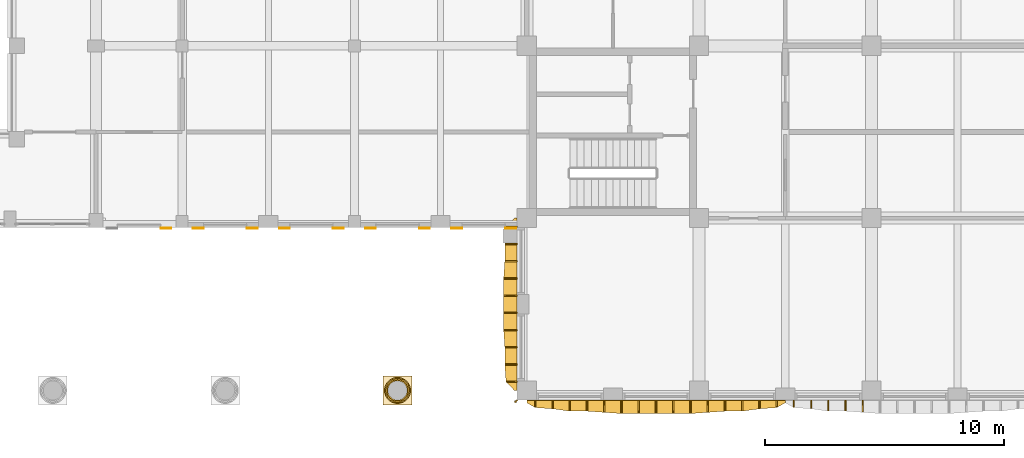
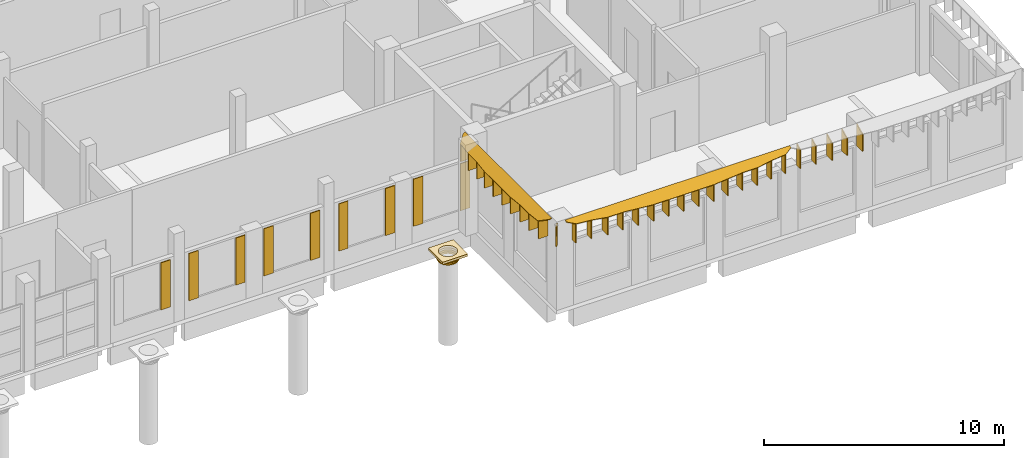
# One storey, part 39 of 59: 42 shading devices, 4 coverings.
"""IFC4 building model written with IfcOpenShell, lengths in metres."""

from ifc_helpers import new_model, si_unit, direction, frame, origin, origin_2d, place, context, subcontext, project, spatial, polyline, rectangle, outline, extrude, material, layer, layer_set, type_object, element, save


model = new_model("IFC4")

# Units and contexts
model_context = context("Model", 3, precision=1e-05, world=origin(), true_north=direction((0.0, 1.0)))
body_context = subcontext(model_context, "Body", "Model", "MODEL_VIEW")
ifc_project = project(units=[si_unit("LENGTHUNIT", "METRE"), si_unit("AREAUNIT", "SQUARE_METRE"), si_unit("VOLUMEUNIT", "CUBIC_METRE"), si_unit("PLANEANGLEUNIT", "RADIAN"), si_unit("MASSUNIT", "GRAM", prefix="KILO")], contexts=[model_context])

# Site, building, storey
site_placement = place(None, origin())
site = spatial("IfcSite", under=ifc_project, at=site_placement, CompositionType="ELEMENT")
building_placement = place(site_placement, origin())
building = spatial("IfcBuilding", under=site, at=building_placement, Name="Ussher Court Research Institute", CompositionType="ELEMENT")
storey_placement = place(building_placement, frame((0.0, 0.0, 5.39990234375)))
storey = spatial("IfcBuildingStorey", under=building, at=storey_placement, Name="L01", CompositionType="ELEMENT", Elevation=5.39990234375)

# Shading devices
ifc_material_1 = material(Name="Bronze anodised aluminium", Category="aluminium")
ifc_layer_1 = layer(ifc_material_1, 0.050048828125)
ifc_layer_set_1 = layer_set([ifc_layer_1], Name="Bronze anodised aluminium")
shading_device_type_1 = type_object("IfcShadingDeviceType", Name="Brim blade 300 mm deep 1100 mm high canted 26 deg wet", PredefinedType="USERDEFINED", material=ifc_layer_set_1)
for number, where, z_axis, x_axis, name in (
    (1, (93.360107421875, 3.60009765625, 3.35009765625), (0.0, 0.0, 1.0), (0.0, -1.0, 0.0), "Brim blade BS06 L01"),
    (2, (92.639892578125, 3.60009765625, 3.35009765625), (0.0, 0.0, 1.0), (0.0, -1.0, 0.0), "Brim blade BS06 L01"),
    (3, (82.56005859375, 3.60009765625, 3.35009765625), (0.0, 0.0, 1.0), (0.0, -1.0, 0.0), "Brim blade BS06 L01"),
):
    element("IfcShadingDevice", number, at=place(storey_placement, frame(where, z_axis=z_axis, x_axis=x_axis)), inside=storey, type_object=shading_device_type_1, Name=name, ObjectType="BLADE", PredefinedType="USERDEFINED", context=body_context, shape_type="SweptSolid", body=[
        extrude(outline(polyline([(0.0, 0.0), (0.300048828125, 0.0), (0.300048828125, 0.95361328125), (0.0, 1.10009765625), (0.0, 0.0)])), frame((0.0, 0.02490234375, 0.0), z_axis=(0.0, -1.0, 0.0), x_axis=(1.0, 0.0, 0.0)), (0.0, 0.0, 1.0), 0.050048828125),
    ])
ifc_material_2 = material(Name="Bronze anodised aluminium", Category="aluminium")
ifc_layer_2 = layer(ifc_material_2, 0.050048828125)
ifc_layer_set_2 = layer_set([ifc_layer_2], Name="Bronze anodised aluminium")
shading_device_type_2 = type_object("IfcShadingDeviceType", Name="Brim blade 350 mm deep 1100 mm high canted 26 deg wet", PredefinedType="USERDEFINED", material=ifc_layer_set_2)
for number, where, z_axis, x_axis, name in (
    (4, (94.080078125, 3.60009765625, 3.35009765625), (0.0, 0.0, 1.0), (0.0, -1.0, 0.0), "Brim blade BS05 L01"),
    (5, (91.919921875, 3.60009765625, 3.35009765625), (0.0, 0.0, 1.0), (0.0, -1.0, 0.0), "Brim blade BS05 L01"),
    (6, (83.280029296875, 3.60009765625, 3.35009765625), (0.0, 0.0, 1.0), (0.0, -1.0, 0.0), "Brim blade BS05 L01"),
):
    element("IfcShadingDevice", number, at=place(storey_placement, frame(where, z_axis=z_axis, x_axis=x_axis)), inside=storey, type_object=shading_device_type_2, Name=name, ObjectType="BLADE", PredefinedType="USERDEFINED", context=body_context, shape_type="SweptSolid", body=[
        extrude(outline(polyline([(0.0, 0.0), (0.35009765625, 0.0), (0.35009765625, 0.92919921875), (0.0, 1.10009765625), (0.0, 0.0)])), frame((0.0, 0.02490234375, 0.0), z_axis=(0.0, -1.0, 0.0), x_axis=(1.0, 0.0, 0.0)), (0.0, 0.0, 1.0), 0.050048828125),
    ])
ifc_material_3 = material(Name="Bronze anodised aluminium", Category="aluminium")
ifc_layer_3 = layer(ifc_material_3, 0.050048828125)
ifc_layer_set_3 = layer_set([ifc_layer_3], Name="Bronze anodised aluminium")
shading_device_type_3 = type_object("IfcShadingDeviceType", Name="Brim blade 450 mm deep 1100 mm high canted 26 deg wet", PredefinedType="USERDEFINED", material=ifc_layer_set_3)
for number, where, z_axis, x_axis, name in (
    (7, (95.52001953125, 3.60009765625, 3.35009765625), (0.0, 0.0, 1.0), (0.0, -1.0, 0.0), "Brim blade BS03 L01"),
    (8, (94.800048828125, 3.60009765625, 3.35009765625), (0.0, 0.0, 1.0), (0.0, -1.0, 0.0), "Brim blade BS03 L01"),
    (9, (91.199951171875, 3.60009765625, 3.35009765625), (0.0, 0.0, 1.0), (0.0, -1.0, 0.0), "Brim blade BS03 L01"),
    (10, (90.47998046875, 3.60009765625, 3.35009765625), (0.0, 0.0, 1.0), (0.0, -1.0, 0.0), "Brim blade BS03 L01"),
    (11, (84.719970703125, 3.60009765625, 3.35009765625), (0.0, 0.0, 1.0), (0.0, -1.0, 0.0), "Brim blade BS03 L01"),
    (12, (84.0, 3.60009765625, 3.35009765625), (0.0, 0.0, 1.0), (0.0, -1.0, 0.0), "Brim blade BS03 L01"),
):
    element("IfcShadingDevice", number, at=place(storey_placement, frame(where, z_axis=z_axis, x_axis=x_axis)), inside=storey, type_object=shading_device_type_3, Name=name, ObjectType="BLADE", PredefinedType="USERDEFINED", context=body_context, shape_type="SweptSolid", body=[
        extrude(outline(polyline([(0.0, 0.0), (0.4501953125, 0.0), (0.449951171875, 0.880615234375), (0.0, 1.10009765625), (0.0, 0.0)])), frame((0.0, 0.02490234375, 0.0), z_axis=(0.0, -1.0, 0.0), x_axis=(1.0, 0.0, 0.0)), (0.0, 0.0, 1.0), 0.050048828125),
    ])
for number, where, z_axis, x_axis, name in (
    (13, (81.800048828125, 4.360107421875, 3.35009765625), (0.0, 0.0, 1.0), (-1.0, 0.0, 0.0), "Brim blade BS03 L01"),
    (14, (81.800048828125, 10.840087890625, 3.35009765625), (0.0, 0.0, 1.0), (-1.0, 0.0, 0.0), "Brim blade BS03 L01"),
):
    element("IfcShadingDevice", number, at=place(storey_placement, frame(where, z_axis=z_axis, x_axis=x_axis)), inside=storey, type_object=shading_device_type_3, Name=name, ObjectType="BLADE", PredefinedType="USERDEFINED", context=body_context, shape_type="SweptSolid", body=[
        extrude(outline(polyline([(0.0, 0.0), (0.449951171875, 0.0), (0.449951171875, 0.880615234375), (0.0, 1.10009765625), (0.0, 0.0)])), frame((0.0, 0.02490234375, 0.0), z_axis=(0.0, -1.0, 0.0), x_axis=(1.0, 0.0, 0.0)), (0.0, 0.0, 1.0), 0.050048828125),
    ])
ifc_material_4 = material(Name="Bronze anodised aluminium", Category="aluminium")
ifc_layer_4 = layer(ifc_material_4, 0.050048828125)
ifc_layer_set_4 = layer_set([ifc_layer_4], Name="Bronze anodised aluminium")
shading_device_type_4 = type_object("IfcShadingDeviceType", Name="Brim blade 500 mm deep 1100 mm high canted 26 deg wet", PredefinedType="USERDEFINED", material=ifc_layer_set_4)
for number, where, z_axis, x_axis, name in (
    (15, (96.239990234375, 3.60009765625, 3.35009765625), (0.0, 0.0, 1.0), (0.0, -1.0, 0.0), "Brim blade BS02 L01"),
    (16, (89.760009765625, 3.60009765625, 3.35009765625), (0.0, 0.0, 1.0), (0.0, -1.0, 0.0), "Brim blade BS02 L01"),
    (17, (85.43994140625, 3.60009765625, 3.35009765625), (0.0, 0.0, 1.0), (0.0, -1.0, 0.0), "Brim blade BS02 L01"),
    (18, (81.800048828125, 5.080078125, 3.35009765625), (0.0, 0.0, 1.0), (-1.0, 0.0, 0.0), "Brim blade BS02 L01"),
    (19, (81.800048828125, 5.800048828125, 3.35009765625), (0.0, 0.0, 1.0), (-1.0, 0.0, 0.0), "Brim blade BS02 L01"),
    (20, (81.800048828125, 9.39990234375, 3.35009765625), (0.0, 0.0, 1.0), (-1.0, 0.0, 0.0), "Brim blade BS02 L01"),
    (21, (81.800048828125, 10.1201171875, 3.35009765625), (0.0, 0.0, 1.0), (-1.0, 0.0, 0.0), "Brim blade BS02 L01"),
):
    element("IfcShadingDevice", number, at=place(storey_placement, frame(where, z_axis=z_axis, x_axis=x_axis)), inside=storey, type_object=shading_device_type_4, Name=name, ObjectType="BLADE", PredefinedType="USERDEFINED", context=body_context, shape_type="SweptSolid", body=[
        extrude(outline(polyline([(0.0, 0.0), (0.5, 0.0), (0.5, 0.856201171875), (0.0, 1.10009765625), (0.0, 0.0)])), frame((0.0, 0.02490234375, 0.0), z_axis=(0.0, -1.0, 0.0), x_axis=(1.0, 0.0, 0.0)), (0.0, 0.0, 1.0), 0.050048828125),
    ])
ifc_material_5 = material(Name="Bronze anodised aluminium", Category="aluminium")
ifc_layer_5 = layer(ifc_material_5, 0.050048828125)
ifc_layer_set_5 = layer_set([ifc_layer_5], Name="Bronze anodised aluminium")
shading_device_type_5 = type_object("IfcShadingDeviceType", Name="Brim blade 550 mm deep 1100 mm high canted 26 deg wet", PredefinedType="USERDEFINED", material=ifc_layer_set_5)
for number, where, z_axis, x_axis, name in (
    (22, (89.0400390625, 3.60009765625, 3.35009765625), (0.0, 0.0, 1.0), (0.0, -1.0, 0.0), "Brim blade BS01 L01"),
    (23, (88.320068359375, 3.60009765625, 3.35009765625), (0.0, 0.0, 1.0), (0.0, -1.0, 0.0), "Brim blade BS01 L01"),
    (24, (87.60009765625, 3.60009765625, 3.35009765625), (0.0, 0.0, 1.0), (0.0, -1.0, 0.0), "Brim blade BS01 L01"),
    (25, (86.8798828125, 3.60009765625, 3.35009765625), (0.0, 0.0, 1.0), (0.0, -1.0, 0.0), "Brim blade BS01 L01"),
    (26, (86.159912109375, 3.60009765625, 3.35009765625), (0.0, 0.0, 1.0), (0.0, -1.0, 0.0), "Brim blade BS01 L01"),
    (27, (81.800048828125, 6.52001953125, 3.35009765625), (0.0, 0.0, 1.0), (-1.0, 0.0, 0.0), "Brim blade BS01 L01"),
    (28, (81.800048828125, 7.239990234375, 3.35009765625), (0.0, 0.0, 1.0), (-1.0, 0.0, 0.0), "Brim blade BS01 L01"),
    (29, (81.800048828125, 7.9599609375, 3.35009765625), (0.0, 0.0, 1.0), (-1.0, 0.0, 0.0), "Brim blade BS01 L01"),
    (30, (81.800048828125, 8.679931640625, 3.35009765625), (0.0, 0.0, 1.0), (-1.0, 0.0, 0.0), "Brim blade BS01 L01"),
):
    element("IfcShadingDevice", number, at=place(storey_placement, frame(where, z_axis=z_axis, x_axis=x_axis)), inside=storey, type_object=shading_device_type_5, Name=name, ObjectType="BLADE", PredefinedType="USERDEFINED", context=body_context, shape_type="SweptSolid", body=[
        extrude(outline(polyline([(0.0, 0.0), (0.550048828125, 0.0), (0.550048828125, 0.831787109375), (0.0, 1.10009765625), (0.0, 0.0)])), frame((0.0, 0.02490234375, 0.0), z_axis=(0.0, -1.0, 0.0), x_axis=(1.0, 0.0, 0.0)), (0.0, 0.0, 1.0), 0.050048828125),
    ])
ifc_material_6 = material(Name="Bronze anodised aluminium", Category="aluminium")
ifc_layer_6 = layer(ifc_material_6, 0.050048828125)
ifc_layer_set_6 = layer_set([ifc_layer_6], Name="Bronze anodised aluminium")
shading_device_type_6 = type_object("IfcShadingDeviceType", Name="Brim mitre blade 100 mm deep 1100 mm high canted 26 deg wet", PredefinedType="USERDEFINED", material=ifc_layer_set_6)
shading_device_1_placement = place(storey_placement, frame((81.800048828125, 3.60009765625, 3.35009765625), z_axis=(0.0, 0.0, 1.0), x_axis=(-0.707106781187, -0.707106781187, 0.0)))
element("IfcShadingDevice", 31, at=shading_device_1_placement, inside=storey, type_object=shading_device_type_6, Name="Brim mitre blade BS18 L01", ObjectType="BLADE", PredefinedType="USERDEFINED", context=body_context, shape_type="SweptSolid", body=[
    extrude(outline(polyline([(0.0, 0.0), (0.1416015625, 0.0), (0.141357421875, 1.00244140625), (0.0, 1.10009765625), (0.0, 0.0)])), frame((0.0, 0.02490234375, 0.0), z_axis=(0.0, -1.0, 0.0), x_axis=(1.0, 0.0, 0.0)), (0.0, 0.0, 1.0), 0.050048828125),
])
ifc_material_7 = material(Name="Bronze anodised aluminium", Category="aluminium")
ifc_layer_7 = layer(ifc_material_7, 0.0400390625)
ifc_layer_set_7 = layer_set([ifc_layer_7], Name="Bronze anodised aluminium")
shading_device_type_7 = type_object("IfcShadingDeviceType", Name="Brim visor sheet 40 mm canted 26 deg wet", PredefinedType="USERDEFINED", material=ifc_layer_set_7)
shading_device_2_placement = place(storey_placement, frame((93.0, 3.58251953125, 4.486083984375), z_axis=(0.0, -0.438461416816, 0.898750013054), x_axis=(-1.0, 0.0, 0.0)))
element("IfcShadingDevice", 32, at=shading_device_2_placement, inside=storey, type_object=shading_device_type_7, Name="Brim visor sheet BR1 L01", ObjectType="BRIM", PredefinedType="USERDEFINED", context=body_context, shape_type="SweptSolid", body=[
    extrude(outline(polyline([(0.0, 0.0), (10.800048828125, 0.0), (10.800048828125, 0.1113720187292832), (10.43994140625, 0.33389663479794396), (9.719970703125, 0.38958264416258553), (9.0, 0.5006281952576233), (8.280029296875, 0.5006281952576233), (7.56005859375, 0.5563142046222649), (6.840087890625, 0.6120002139869065), (6.1201171875, 0.6120002139869065), (5.39990234375, 0.6120002139869065), (4.679931640625, 0.6120002139869065), (3.9599609375, 0.6120002139869065), (3.239990234375, 0.5563142046222649), (2.52001953125, 0.5006281952576233), (1.800048828125, 0.5006281952576233), (1.080078125, 0.38958264416258553), (0.360107421875, 0.33389663479794396), (0.0, 0.1113720187292832), (0.0, 0.0)])), origin(), (0.0, 0.0, -1.0), 0.0400390625),
])
shading_device_3_placement = place(storey_placement, frame((81.782470703125, 4.0, 4.486083984375), z_axis=(-0.438424070602, 0.0, 0.898768231702), x_axis=(0.0, 1.0, 0.0)))
element("IfcShadingDevice", 33, at=shading_device_3_placement, inside=storey, type_object=shading_device_type_7, Name="Brim visor sheet BR1 L01", ObjectType="BRIM", PredefinedType="USERDEFINED", context=body_context, shape_type="SweptSolid", body=[
    extrude(outline(polyline([(0.0, 0.0), (7.199951171875, 0.0), (7.199951171875, 0.11115259298987437), (6.840087890625, 0.5006281959223675), (6.1201171875, 0.5563142053362137), (5.39990234375, 0.5563142053362137), (4.679931640625, 0.6120002147500598), (3.9599609375, 0.6120002147500598), (3.239990234375, 0.6120002147500598), (2.52001953125, 0.6120002147500598), (1.800048828125, 0.5563142053362137), (1.080078125, 0.5563142053362137), (0.360107421875, 0.5006281959223675), (0.0, 0.11115259298987437), (0.0, 0.0)])), origin(), (0.0, 0.0, -1.0), 0.0400390625),
])

# Coverings
ifc_material_8 = material(Name="Limestone cornice", Category="masonry")
covering_type_1 = type_object("IfcCoveringType", Name="Column abacus 800 1200x120", PredefinedType="CLADDING", material=ifc_material_8)
covering_1_placement = place(storey_placement, frame((0.0, 0.0, 4.420166015625)))
element("IfcCovering", 34, at=covering_1_placement, inside=storey, type_object=covering_type_1, Name="Column capital CC19", PredefinedType="CLADDING", context=body_context, shape_type="SweptSolid", body=[
    extrude(outline(polyline([(77.39990234375, 3.39990234375), (77.39990234375, 4.60009765625), (76.199951171875, 4.60009765625), (76.199951171875, 3.39990234375), (77.39990234375, 3.39990234375)]), holes=[polyline([(77.200927734375, 4.0), (77.197509765625, 4.05224609375), (77.187255859375, 4.103759765625), (77.17041015625, 4.1533203125), (77.147216796875, 4.200439453125), (77.117919921875, 4.243896484375), (77.08349609375, 4.283447265625), (77.0439453125, 4.318115234375), (77.00048828125, 4.34716796875), (76.953369140625, 4.370361328125), (76.90380859375, 4.38720703125), (76.852294921875, 4.3974609375), (76.800048828125, 4.40087890625), (76.747802734375, 4.3974609375), (76.6962890625, 4.38720703125), (76.646484375, 4.370361328125), (76.599609375, 4.34716796875), (76.555908203125, 4.318115234375), (76.5166015625, 4.283447265625), (76.48193359375, 4.243896484375), (76.452880859375, 4.200439453125), (76.4296875, 4.1533203125), (76.412841796875, 4.103759765625), (76.402587890625, 4.05224609375), (76.399169921875, 4.0), (76.402587890625, 3.94775390625), (76.412841796875, 3.896240234375), (76.4296875, 3.8466796875), (76.452880859375, 3.799560546875), (76.48193359375, 3.756103515625), (76.5166015625, 3.716552734375), (76.555908203125, 3.681884765625), (76.599609375, 3.65283203125), (76.646484375, 3.629638671875), (76.6962890625, 3.61279296875), (76.747802734375, 3.6025390625), (76.800048828125, 3.59912109375), (76.852294921875, 3.6025390625), (76.90380859375, 3.61279296875), (76.953369140625, 3.629638671875), (77.00048828125, 3.65283203125), (77.0439453125, 3.681884765625), (77.08349609375, 3.716552734375), (77.117919921875, 3.756103515625), (77.147216796875, 3.799560546875), (77.17041015625, 3.8466796875), (77.187255859375, 3.896240234375), (77.197509765625, 3.94775390625), (77.200927734375, 4.0)])]), origin(), (0.0, 0.0, 1.0), 0.119873046875),
])
ifc_material_9 = material(Name="Limestone cornice", Category="masonry")
covering_type_2 = type_object("IfcCoveringType", Name="Column capital echinus 800 1000x100", PredefinedType="CLADDING", material=ifc_material_9)
covering_2_placement = place(storey_placement, frame((0.0, 0.0, 4.22021484375)))
element("IfcCovering", 35, at=covering_2_placement, inside=storey, type_object=covering_type_2, Name="Column capital CC17", PredefinedType="CLADDING", context=body_context, shape_type="SweptSolid", body=[
    extrude(outline(polyline([(77.300048828125, 4.0), (77.295654296875, 4.065185546875), (77.282958984375, 4.12939453125), (77.261962890625, 4.19140625), (77.23291015625, 4.25), (77.19677734375, 4.304443359375), (77.153564453125, 4.353515625), (77.1044921875, 4.396728515625), (77.050048828125, 4.43310546875), (76.9912109375, 4.4619140625), (76.929443359375, 4.48291015625), (76.865234375, 4.49560546875), (76.800048828125, 4.5), (76.734619140625, 4.49560546875), (76.670654296875, 4.48291015625), (76.608642578125, 4.4619140625), (76.550048828125, 4.43310546875), (76.49560546875, 4.396728515625), (76.4462890625, 4.353515625), (76.4033203125, 4.304443359375), (76.366943359375, 4.25), (76.338134765625, 4.19140625), (76.31689453125, 4.12939453125), (76.30419921875, 4.065185546875), (76.300048828125, 4.0), (76.30419921875, 3.934814453125), (76.31689453125, 3.87060546875), (76.338134765625, 3.80859375), (76.366943359375, 3.75), (76.4033203125, 3.695556640625), (76.4462890625, 3.646484375), (76.49560546875, 3.603271484375), (76.550048828125, 3.56689453125), (76.608642578125, 3.5380859375), (76.670654296875, 3.51708984375), (76.734619140625, 3.50439453125), (76.800048828125, 3.5), (76.865234375, 3.50439453125), (76.929443359375, 3.51708984375), (76.9912109375, 3.5380859375), (77.050048828125, 3.56689453125), (77.1044921875, 3.603271484375), (77.153564453125, 3.646484375), (77.19677734375, 3.695556640625), (77.23291015625, 3.75), (77.261962890625, 3.80859375), (77.282958984375, 3.87060546875), (77.295654296875, 3.934814453125), (77.300048828125, 4.0)]), holes=[polyline([(77.200927734375, 4.0), (77.197509765625, 4.05224609375), (77.187255859375, 4.103759765625), (77.17041015625, 4.1533203125), (77.147216796875, 4.200439453125), (77.117919921875, 4.243896484375), (77.08349609375, 4.283447265625), (77.0439453125, 4.318115234375), (77.00048828125, 4.34716796875), (76.953369140625, 4.370361328125), (76.90380859375, 4.38720703125), (76.852294921875, 4.3974609375), (76.800048828125, 4.40087890625), (76.747802734375, 4.3974609375), (76.6962890625, 4.38720703125), (76.646484375, 4.370361328125), (76.599609375, 4.34716796875), (76.555908203125, 4.318115234375), (76.5166015625, 4.283447265625), (76.48193359375, 4.243896484375), (76.452880859375, 4.200439453125), (76.4296875, 4.1533203125), (76.412841796875, 4.103759765625), (76.402587890625, 4.05224609375), (76.399169921875, 4.0), (76.402587890625, 3.94775390625), (76.412841796875, 3.896240234375), (76.4296875, 3.8466796875), (76.452880859375, 3.799560546875), (76.48193359375, 3.756103515625), (76.5166015625, 3.716552734375), (76.555908203125, 3.681884765625), (76.599609375, 3.65283203125), (76.646484375, 3.629638671875), (76.6962890625, 3.61279296875), (76.747802734375, 3.6025390625), (76.800048828125, 3.59912109375), (76.852294921875, 3.6025390625), (76.90380859375, 3.61279296875), (76.953369140625, 3.629638671875), (77.00048828125, 3.65283203125), (77.0439453125, 3.681884765625), (77.08349609375, 3.716552734375), (77.117919921875, 3.756103515625), (77.147216796875, 3.799560546875), (77.17041015625, 3.8466796875), (77.187255859375, 3.896240234375), (77.197509765625, 3.94775390625), (77.200927734375, 4.0)])]), origin(), (0.0, 0.0, 1.0), 0.099853515625),
])
ifc_material_10 = material(Name="Limestone cornice", Category="masonry")
covering_type_3 = type_object("IfcCoveringType", Name="Column capital neck 800 896x100", PredefinedType="CLADDING", material=ifc_material_10)
covering_3_placement = place(storey_placement, frame((0.0, 0.0, 4.1201171875)))
element("IfcCovering", 36, at=covering_3_placement, inside=storey, type_object=covering_type_3, Name="Column capital CC16", PredefinedType="CLADDING", context=body_context, shape_type="SweptSolid", body=[
    extrude(outline(polyline([(77.248046875, 4.0), (77.244140625, 4.05859375), (77.232666015625, 4.115966796875), (77.2138671875, 4.17138671875), (77.18798828125, 4.22412109375), (77.155517578125, 4.272705078125), (77.11669921875, 4.31689453125), (77.07275390625, 4.35546875), (77.02392578125, 4.387939453125), (76.971435546875, 4.413818359375), (76.916015625, 4.4326171875), (76.8583984375, 4.444091796875), (76.800048828125, 4.447998046875), (76.741455078125, 4.444091796875), (76.68408203125, 4.4326171875), (76.628662109375, 4.413818359375), (76.575927734375, 4.387939453125), (76.52734375, 4.35546875), (76.483154296875, 4.31689453125), (76.444580078125, 4.272705078125), (76.412109375, 4.22412109375), (76.385986328125, 4.17138671875), (76.3671875, 4.115966796875), (76.355712890625, 4.05859375), (76.35205078125, 4.0), (76.355712890625, 3.94140625), (76.3671875, 3.884033203125), (76.385986328125, 3.82861328125), (76.412109375, 3.77587890625), (76.444580078125, 3.727294921875), (76.483154296875, 3.68310546875), (76.52734375, 3.64453125), (76.575927734375, 3.612060546875), (76.628662109375, 3.586181640625), (76.68408203125, 3.5673828125), (76.741455078125, 3.555908203125), (76.800048828125, 3.552001953125), (76.8583984375, 3.555908203125), (76.916015625, 3.5673828125), (76.971435546875, 3.586181640625), (77.02392578125, 3.612060546875), (77.07275390625, 3.64453125), (77.11669921875, 3.68310546875), (77.155517578125, 3.727294921875), (77.18798828125, 3.77587890625), (77.2138671875, 3.82861328125), (77.232666015625, 3.884033203125), (77.244140625, 3.94140625), (77.248046875, 4.0)]), holes=[polyline([(77.200927734375, 4.0), (77.197509765625, 4.05224609375), (77.187255859375, 4.103759765625), (77.17041015625, 4.1533203125), (77.147216796875, 4.200439453125), (77.117919921875, 4.243896484375), (77.08349609375, 4.283447265625), (77.0439453125, 4.318115234375), (77.00048828125, 4.34716796875), (76.953369140625, 4.370361328125), (76.90380859375, 4.38720703125), (76.852294921875, 4.3974609375), (76.800048828125, 4.40087890625), (76.747802734375, 4.3974609375), (76.6962890625, 4.38720703125), (76.646484375, 4.370361328125), (76.599609375, 4.34716796875), (76.555908203125, 4.318115234375), (76.5166015625, 4.283447265625), (76.48193359375, 4.243896484375), (76.452880859375, 4.200439453125), (76.4296875, 4.1533203125), (76.412841796875, 4.103759765625), (76.402587890625, 4.05224609375), (76.399169921875, 4.0), (76.402587890625, 3.94775390625), (76.412841796875, 3.896240234375), (76.4296875, 3.8466796875), (76.452880859375, 3.799560546875), (76.48193359375, 3.756103515625), (76.5166015625, 3.716552734375), (76.555908203125, 3.681884765625), (76.599609375, 3.65283203125), (76.646484375, 3.629638671875), (76.6962890625, 3.61279296875), (76.747802734375, 3.6025390625), (76.800048828125, 3.59912109375), (76.852294921875, 3.6025390625), (76.90380859375, 3.61279296875), (76.953369140625, 3.629638671875), (77.00048828125, 3.65283203125), (77.0439453125, 3.681884765625), (77.08349609375, 3.716552734375), (77.117919921875, 3.756103515625), (77.147216796875, 3.799560546875), (77.17041015625, 3.8466796875), (77.187255859375, 3.896240234375), (77.197509765625, 3.94775390625), (77.200927734375, 4.0)])]), origin(), (0.0, 0.0, 1.0), 0.10009765625),
])
ifc_material_11 = material(Name="Limestone cornice", Category="masonry")
covering_type_4 = type_object("IfcCoveringType", Name="Column capital ovolo 800 1088x100", PredefinedType="CLADDING", material=ifc_material_11)
covering_4_placement = place(storey_placement, frame((0.0, 0.0, 4.320068359375)))
element("IfcCovering", 37, at=covering_4_placement, inside=storey, type_object=covering_type_4, Name="Column capital CC18", PredefinedType="CLADDING", context=body_context, shape_type="SweptSolid", body=[
    extrude(outline(polyline([(77.343994140625, 4.0), (77.33935546875, 4.071044921875), (77.325439453125, 4.140869140625), (77.302490234375, 4.208251953125), (77.27099609375, 4.27197265625), (77.231689453125, 4.331298828125), (77.184814453125, 4.384765625), (77.131103515625, 4.431640625), (77.072021484375, 4.47119140625), (77.00830078125, 4.502685546875), (76.94091796875, 4.525390625), (76.87109375, 4.539306640625), (76.800048828125, 4.5439453125), (76.72900390625, 4.539306640625), (76.6591796875, 4.525390625), (76.591796875, 4.502685546875), (76.528076171875, 4.47119140625), (76.46875, 4.431640625), (76.415283203125, 4.384765625), (76.368408203125, 4.331298828125), (76.328857421875, 4.27197265625), (76.29736328125, 4.208251953125), (76.2744140625, 4.140869140625), (76.2607421875, 4.071044921875), (76.256103515625, 4.0), (76.2607421875, 3.928955078125), (76.2744140625, 3.859130859375), (76.29736328125, 3.791748046875), (76.328857421875, 3.72802734375), (76.368408203125, 3.668701171875), (76.415283203125, 3.615234375), (76.46875, 3.568359375), (76.528076171875, 3.52880859375), (76.591796875, 3.497314453125), (76.6591796875, 3.474609375), (76.72900390625, 3.460693359375), (76.800048828125, 3.4560546875), (76.87109375, 3.460693359375), (76.94091796875, 3.474609375), (77.00830078125, 3.497314453125), (77.072021484375, 3.52880859375), (77.131103515625, 3.568359375), (77.184814453125, 3.615234375), (77.231689453125, 3.668701171875), (77.27099609375, 3.72802734375), (77.302490234375, 3.791748046875), (77.325439453125, 3.859130859375), (77.33935546875, 3.928955078125), (77.343994140625, 4.0)]), holes=[polyline([(77.200927734375, 4.0), (77.197509765625, 4.05224609375), (77.187255859375, 4.103759765625), (77.17041015625, 4.1533203125), (77.147216796875, 4.200439453125), (77.117919921875, 4.243896484375), (77.08349609375, 4.283447265625), (77.0439453125, 4.318115234375), (77.00048828125, 4.34716796875), (76.953369140625, 4.370361328125), (76.90380859375, 4.38720703125), (76.852294921875, 4.3974609375), (76.800048828125, 4.40087890625), (76.747802734375, 4.3974609375), (76.6962890625, 4.38720703125), (76.646484375, 4.370361328125), (76.599609375, 4.34716796875), (76.555908203125, 4.318115234375), (76.5166015625, 4.283447265625), (76.48193359375, 4.243896484375), (76.452880859375, 4.200439453125), (76.4296875, 4.1533203125), (76.412841796875, 4.103759765625), (76.402587890625, 4.05224609375), (76.399169921875, 4.0), (76.402587890625, 3.94775390625), (76.412841796875, 3.896240234375), (76.4296875, 3.8466796875), (76.452880859375, 3.799560546875), (76.48193359375, 3.756103515625), (76.5166015625, 3.716552734375), (76.555908203125, 3.681884765625), (76.599609375, 3.65283203125), (76.646484375, 3.629638671875), (76.6962890625, 3.61279296875), (76.747802734375, 3.6025390625), (76.800048828125, 3.59912109375), (76.852294921875, 3.6025390625), (76.90380859375, 3.61279296875), (76.953369140625, 3.629638671875), (77.00048828125, 3.65283203125), (77.0439453125, 3.681884765625), (77.08349609375, 3.716552734375), (77.117919921875, 3.756103515625), (77.147216796875, 3.799560546875), (77.17041015625, 3.8466796875), (77.187255859375, 3.896240234375), (77.197509765625, 3.94775390625), (77.200927734375, 4.0)])]), origin(), (0.0, 0.0, 1.0), 0.10009765625),
])

# Shading devices
ifc_material_12 = material(Name="Timber louvred shutter", Category="wood")
ifc_layer_8 = layer(ifc_material_12, 0.0400390625)
ifc_layer_set_8 = layer_set([ifc_layer_8], Name="Timber louvred shutter")
shading_device_type_8 = type_object("IfcShadingDeviceType", Name="Louvred shutter leaf 450x2400", PredefinedType="USERDEFINED", material=ifc_layer_set_8)
for number, where, z_axis, x_axis, name in (
    (38, (81.52490234375, 10.780029296875, 0.900146484375), (0.0, 0.0, 1.0), (-1.0, 0.0, 0.0), "Shutter LV2 L01"),
    (39, (79.27490234375, 10.780029296875, 0.900146484375), (0.0, 0.0, 1.0), (-1.0, 0.0, 0.0), "Shutter LV2 L01"),
    (40, (77.925048828125, 10.780029296875, 0.900146484375), (0.0, 0.0, 1.0), (-1.0, 0.0, 0.0), "Shutter LV2 L01"),
    (41, (75.675048828125, 10.780029296875, 0.900146484375), (0.0, 0.0, 1.0), (-1.0, 0.0, 0.0), "Shutter LV2 L01"),
    (42, (74.324951171875, 10.780029296875, 0.900146484375), (0.0, 0.0, 1.0), (-1.0, 0.0, 0.0), "Shutter LV2 L01"),
    (43, (72.074951171875, 10.780029296875, 0.900146484375), (0.0, 0.0, 1.0), (-1.0, 0.0, 0.0), "Shutter LV2 L01"),
    (44, (70.72509765625, 10.780029296875, 0.900146484375), (0.0, 0.0, 1.0), (-1.0, 0.0, 0.0), "Shutter LV2 L01"),
    (45, (68.47509765625, 10.780029296875, 0.900146484375), (0.0, 0.0, 1.0), (-1.0, 0.0, 0.0), "Shutter LV2 L01"),
    (46, (67.125, 10.780029296875, 0.900146484375), (0.0, 0.0, 1.0), (-1.0, 0.0, 0.0), "Shutter LV2 L01"),
):
    element("IfcShadingDevice", number, at=place(storey_placement, frame(where, z_axis=z_axis, x_axis=x_axis)), inside=storey, type_object=shading_device_type_8, Name=name, ObjectType="SHUTTER", PredefinedType="USERDEFINED", context=body_context, shape_type="SweptSolid", body=[
        extrude(rectangle(XDim=0.449951171875, YDim=0.0400390625, at=origin_2d()), origin(), (0.0, 0.0, 1.0), 2.39990234375),
    ])

save(model, "model.ifc")
